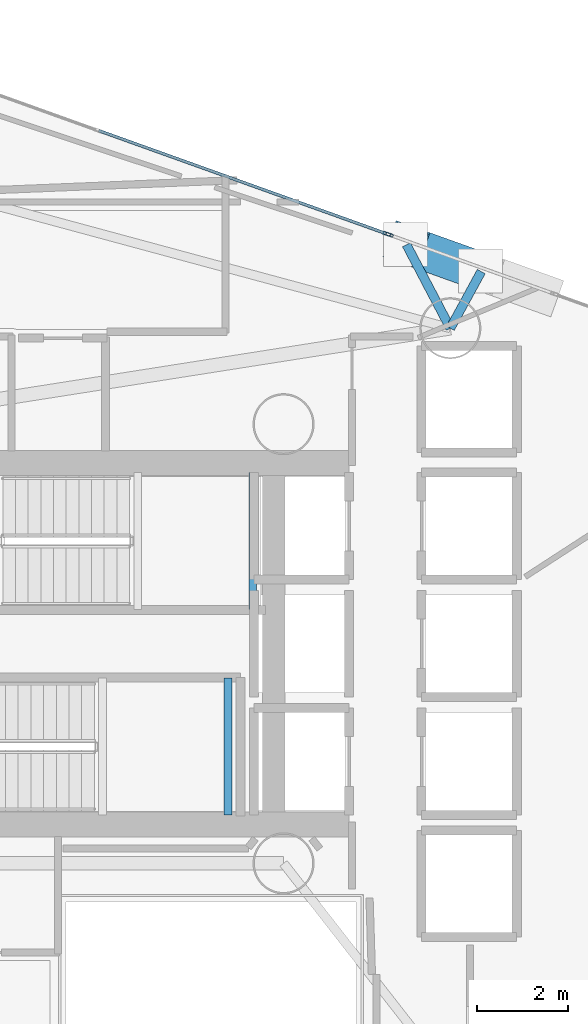
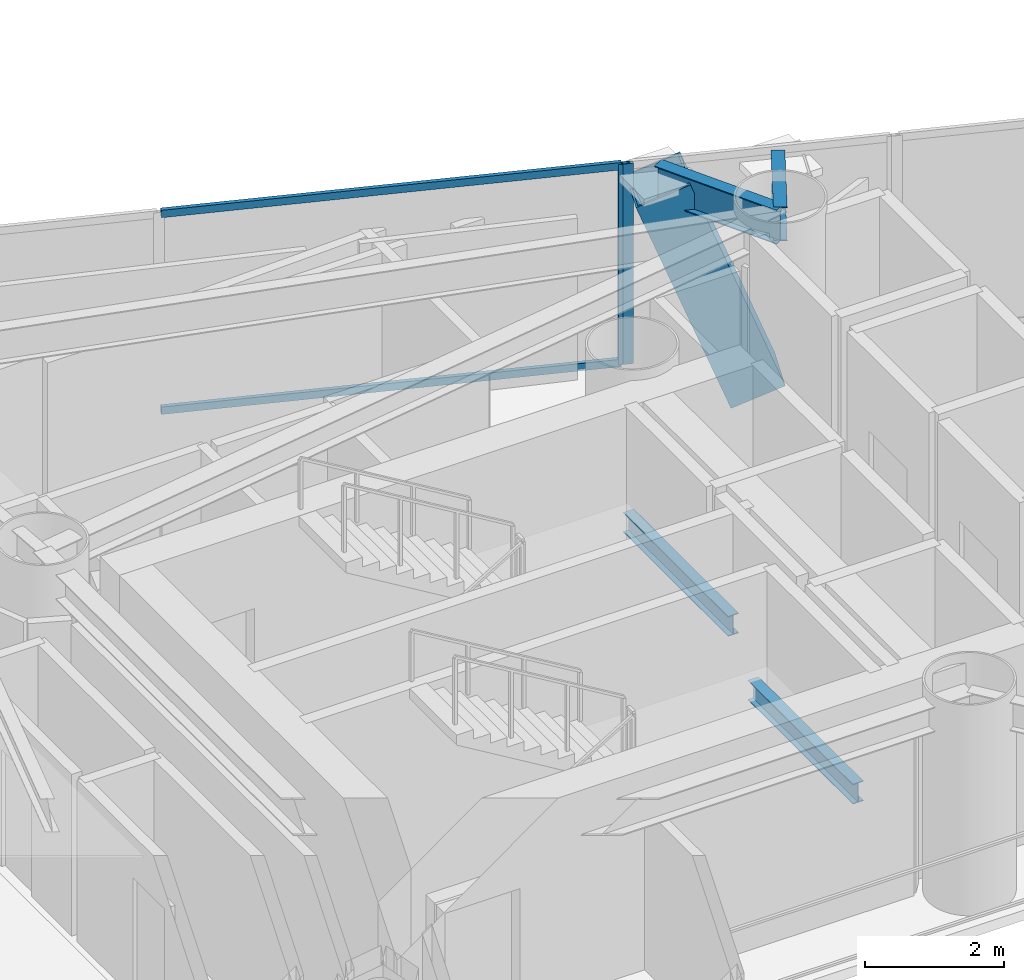
# One storey, part 13 of 21: 5 members, 4 beams, 2 elements without a shape of their own.
"""IFC4 building model written with IfcOpenShell, lengths in metres."""

from ifc_helpers import new_model, si_unit, direction, frame, origin, origin_2d, place, context, subcontext, project, spatial, hollow_rectangle, i_section, extrude, material, layer, layer_set, material_profile, profile_set, type_object, element, aggregate, save


model = new_model("IFC4")

# Units and contexts
model_context = context("Model", 3, precision=1e-05, world=origin(), true_north=direction((0.0, 1.0)))
body_context = subcontext(model_context, "Body", "Model", "MODEL_VIEW")
ifc_project = project(units=[si_unit("LENGTHUNIT", "METRE"), si_unit("AREAUNIT", "SQUARE_METRE"), si_unit("VOLUMEUNIT", "CUBIC_METRE"), si_unit("PLANEANGLEUNIT", "RADIAN"), si_unit("MASSUNIT", "GRAM", prefix="KILO")], contexts=[model_context])

# Site, building, storey
site_placement = place(None, origin())
site = spatial("IfcSite", under=ifc_project, at=site_placement, CompositionType="ELEMENT")
building_placement = place(site_placement, origin())
building = spatial("IfcBuilding", under=site, at=building_placement, Name="Qianvela Tower", CompositionType="ELEMENT")
storey_placement = place(building_placement, frame((0.0, 0.0, 166.10009765625)))
storey = spatial("IfcBuildingStorey", under=building, at=storey_placement, Name="L42", CompositionType="ELEMENT", Elevation=166.10009765625)

# Beams
ifc_material_1 = material(Name="Steel Q355B", Category="steel")
ifc_material_profile_1 = material_profile(ifc_material_1, i_section(OverallWidth=0.175048828125, OverallDepth=0.35009765625, WebThickness=0.007080078125, FlangeThickness=0.010986328125, at=origin_2d()), Name="HN350x175x7x11")
ifc_profile_set_1 = profile_set([ifc_material_profile_1], Name="Steel Q355B")
beam_type_1 = type_object("IfcBeamType", Name="BM-HN350-JOIST", PredefinedType="JOIST", material=ifc_profile_set_1)
for number, where, z_axis, x_axis, name in (
    (1, (37.719970703125, 29.4599609375, 1.474853515625), (0.0, 1.0, 0.0), (-1.0, 0.0, 0.0), "L42 Stair ST-1 Landing Support Beam 1.2"),
    (2, (37.169921875, 24.919921875, 1.474853515625), (0.0, 1.0, 0.0), (-1.0, 0.0, 0.0), "L42 Stair ST-2 Landing Support Beam 1.2"),
):
    element("IfcBeam", number, at=place(storey_placement, frame(where, z_axis=z_axis, x_axis=x_axis)), inside=storey, type_object=beam_type_1, Name=name, PredefinedType="JOIST", context=body_context, shape_type="SweptSolid", body=[
        extrude(i_section(OverallWidth=0.175048828125, OverallDepth=0.35009765625, WebThickness=0.007080078125, FlangeThickness=0.010986328125, at=origin_2d()), origin(), (0.0, 0.0, 1.0), 3.02001953125),
    ])
ifc_material_2 = material(Name="Steel Q355B", Category="steel")
ifc_material_profile_2 = material_profile(ifc_material_2, i_section(OverallWidth=0.199951171875, OverallDepth=0.60009765625, WebThickness=0.010986328125, FlangeThickness=0.01708984375, at=origin_2d()), Name="HN600x200x11x17")
ifc_profile_set_2 = profile_set([ifc_material_profile_2], Name="Steel Q355B")
beam_type_2 = type_object("IfcBeamType", Name="BM-HN600-GIRD", PredefinedType="BEAM", material=ifc_profile_set_2)
beam_1_placement = place(storey_placement, frame((42.0830078125, 35.6689453125, 3.218017578125), z_axis=(0.478492380786, 0.87809170451, 0.0), x_axis=(-0.87809170451, 0.478492380786, 0.0)))
element("IfcBeam", 3, at=beam_1_placement, inside=storey, type_object=beam_type_2, Name="L42 Mega-Brace Column Tie Bracket F1-1", PredefinedType="BEAM", context=body_context, shape_type="SweptSolid", body=[
    extrude(i_section(OverallWidth=0.199951171875, OverallDepth=0.60009765625, WebThickness=0.010986328125, FlangeThickness=0.01708984375, at=origin_2d()), origin(), (0.0, 0.0, 1.0), 1.426513671875),
])
beam_2_placement = place(storey_placement, frame((42.0830078125, 35.6689453125, 3.218017578125), z_axis=(-0.464528262188, 0.885558294879, 0.0), x_axis=(-0.885558294879, -0.464528262188, 0.0)))
element("IfcBeam", 4, at=beam_2_placement, inside=storey, type_object=beam_type_2, Name="L42 Mega-Brace Column Tie Bracket F1-2", PredefinedType="BEAM", context=body_context, shape_type="SweptSolid", body=[
    extrude(i_section(OverallWidth=0.199951171875, OverallDepth=0.60009765625, WebThickness=0.010986328125, FlangeThickness=0.01708984375, at=origin_2d()), origin(), (0.0, 0.0, 1.0), 2.082275390625),
])

# Curtain wall, member
ifc_material_3 = material(Name="Anodised Architectural Aluminium and Insulated Spandrel Panel", Category="aluminium")
ifc_layer_1 = layer(ifc_material_3, 0.179931640625)
ifc_layer_set_1 = layer_set([ifc_layer_1], Name="Anodised Architectural Aluminium and Insulated Spandrel Panel")
curtain_wall_type_1 = type_object("IfcCurtainWallType", Name="CW-BRACEBAY", PredefinedType="USERDEFINED", material=ifc_layer_set_1)
curtain_wall_1_placement = place(storey_placement, origin())
curtain_wall_1 = element("IfcCurtainWall", 5, at=curtain_wall_1_placement, inside=storey, type_object=curtain_wall_type_1, Name="L42 CW-BRACEBAY Curtain Wall 02B", ObjectType="CURTAIN_WALL_SYSTEM", PredefinedType="USERDEFINED")
ifc_material_4 = material(Name="Anodised Architectural Aluminium 6063-T6", Category="aluminium")
ifc_material_profile_3 = material_profile(ifc_material_4, hollow_rectangle(XDim=0.06494140625, YDim=0.159912109375, WallThickness=0.0048828125, at=origin_2d()), Name="ALU-MULL-65x160")
ifc_profile_set_3 = profile_set([ifc_material_profile_3], Name="Anodised Architectural Aluminium 6063-T6")
member_type_1 = type_object("IfcMemberType", Name="CW-BRACEBAY-MULL", PredefinedType="MULLION", material=ifc_profile_set_3)
member_1_placement = place(storey_placement, frame((40.741455078125, 37.73193359375, 0.0), z_axis=(0.0, 0.0, 1.0), x_axis=(-0.337301756713, -0.941396582168, 0.0)))
member_1 = element("IfcMember", 6, at=member_1_placement, type_object=member_type_1, Name="CW-9 mullion 2", PredefinedType="MULLION", context=body_context, shape_type="SweptSolid", body=[
    extrude(hollow_rectangle(XDim=0.06494140625, YDim=0.159912109375, WallThickness=0.0048828125, at=origin_2d()), origin(), (0.0, 0.0, 1.0), 3.52001953125),
])
aggregate(curtain_wall_1, [member_1])

# Curtain wall, members
ifc_material_5 = material(Name="Anodised Architectural Aluminium and Low-E Glass", Category="aluminium")
ifc_layer_2 = layer(ifc_material_5, 0.169921875)
ifc_layer_set_2 = layer_set([ifc_layer_2], Name="Anodised Architectural Aluminium and Low-E Glass")
curtain_wall_type_2 = type_object("IfcCurtainWallType", Name="CW-COLIV-Z34", PredefinedType="USERDEFINED", material=ifc_layer_set_2)
curtain_wall_2_placement = place(storey_placement, origin())
curtain_wall_2 = element("IfcCurtainWall", 7, at=curtain_wall_2_placement, inside=storey, type_object=curtain_wall_type_2, Name="L42 CW-COLIV-Z34 Curtain Wall 02C", ObjectType="CURTAIN_WALL_SYSTEM", PredefinedType="USERDEFINED")
ifc_material_6 = material(Name="Anodised Architectural Aluminium 6063-T6", Category="aluminium")
ifc_material_profile_4 = material_profile(ifc_material_6, hollow_rectangle(XDim=0.06494140625, YDim=0.159912109375, WallThickness=0.0048828125, at=origin_2d()), Name="ALU-MULL-65x160")
ifc_profile_set_4 = profile_set([ifc_material_profile_4], Name="Anodised Architectural Aluminium 6063-T6")
member_type_2 = type_object("IfcMemberType", Name="CW-COLIV-Z34-MULL", PredefinedType="MULLION", material=ifc_profile_set_4)
member_2_placement = place(storey_placement, frame((40.680419921875, 37.75390625, 0.0), z_axis=(0.0, 0.0, 1.0), x_axis=(-0.3373095165, -0.941393801806, 0.0)))
member_2 = element("IfcMember", 8, at=member_2_placement, type_object=member_type_2, Name="CW-4 mullion 1", PredefinedType="MULLION", context=body_context, shape_type="SweptSolid", body=[
    extrude(hollow_rectangle(XDim=0.06494140625, YDim=0.159912109375, WallThickness=0.0048828125, at=origin_2d()), origin(), (0.0, 0.0, 1.0), 3.52001953125),
])
ifc_material_7 = material(Name="Anodised Architectural Aluminium 6063-T6", Category="aluminium")
ifc_material_profile_5 = material_profile(ifc_material_7, hollow_rectangle(XDim=0.06494140625, YDim=0.1298828125, WallThickness=0.00439453125, at=origin_2d()), Name="ALU-TRAN-65x130")
ifc_profile_set_5 = profile_set([ifc_material_profile_5], Name="Anodised Architectural Aluminium 6063-T6")
member_type_3 = type_object("IfcMemberType", Name="CW-COLIV-Z34-TRAN", PredefinedType="USERDEFINED", material=ifc_profile_set_5)
member_3_placement = place(storey_placement, frame((40.649658203125, 37.764892578125, 0.032470703125), z_axis=(-0.941391601174, 0.337315658158, 0.0), x_axis=(-0.337315658158, -0.941391601174, 0.0)))
member_3 = element("IfcMember", 9, at=member_3_placement, type_object=member_type_3, Name="CW-4 transom 1.1", ObjectType="TRANSOM", PredefinedType="USERDEFINED", context=body_context, shape_type="SweptSolid", body=[
    extrude(hollow_rectangle(XDim=0.06494140625, YDim=0.1298828125, WallThickness=0.00439453125, at=origin_2d()), origin(), (0.0, 0.0, 1.0), 6.726806640625),
])
member_4_placement = place(storey_placement, frame((40.649658203125, 37.764892578125, 3.4873046875), z_axis=(-0.941391601174, 0.337315658158, 0.0), x_axis=(-0.337315658158, -0.941391601174, 0.0)))
member_4 = element("IfcMember", 10, at=member_4_placement, type_object=member_type_3, Name="CW-4 transom 1.2", ObjectType="TRANSOM", PredefinedType="USERDEFINED", context=body_context, shape_type="SweptSolid", body=[
    extrude(hollow_rectangle(XDim=0.06494140625, YDim=0.1298828125, WallThickness=0.00439453125, at=origin_2d()), origin(), (0.0, 0.0, 1.0), 6.726806640625),
])
aggregate(curtain_wall_2, [member_2, member_3, member_4])

# Member
ifc_material_8 = material(Name="Steel Q420GJC", Category="steel")
ifc_material_profile_6 = material_profile(ifc_material_8, hollow_rectangle(XDim=0.85009765625, YDim=0.85009765625, WallThickness=0.031982421875, at=origin_2d()), Name="MBOX-850x850x32")
ifc_profile_set_6 = profile_set([ifc_material_profile_6], Name="Steel Q420GJC")
member_type_4 = type_object("IfcMemberType", Name="MBR-MBRACE-850", PredefinedType="BRACE", material=ifc_profile_set_6)
member_5_placement = place(storey_placement, frame((42.422607421875, 37.044677734375, -0.482177734375), z_axis=(-0.330685673159, 0.118485918386, 0.936273503156), x_axis=(-0.337305455404, -0.941395256922, 0.0)))
element("IfcMember", 11, at=member_5_placement, inside=storey, type_object=member_type_4, Name="L42 Tier 7 Exterior Mega-Brace F1B", PredefinedType="BRACE", context=body_context, shape_type="SweptSolid", body=[
    extrude(hollow_rectangle(XDim=0.85009765625, YDim=0.85009765625, WallThickness=0.031982421875, at=origin_2d()), origin(), (0.0, 0.0, 1.0), 3.9521484375),
])

save(model, "model.ifc")
